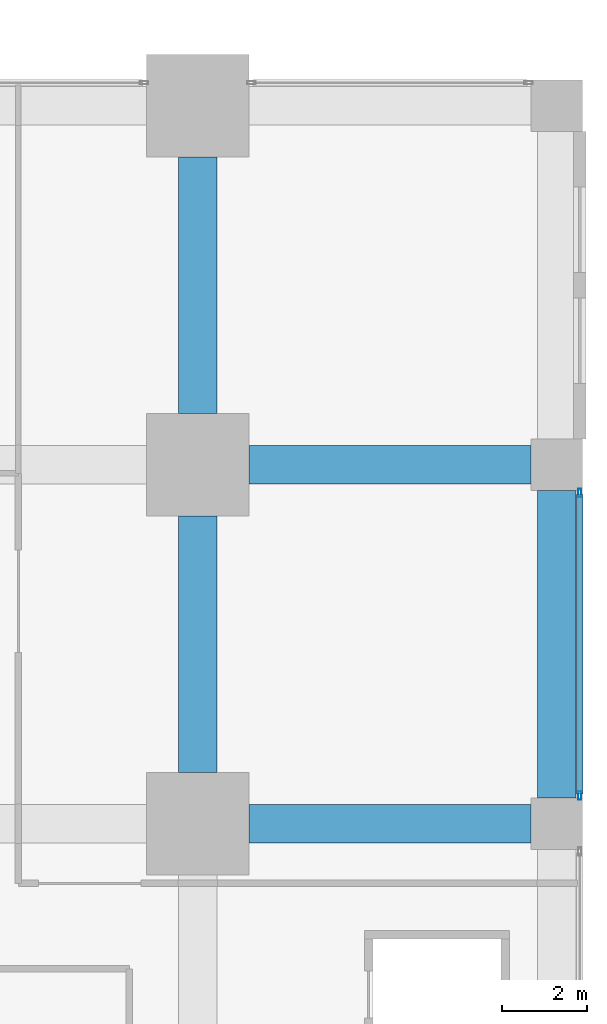
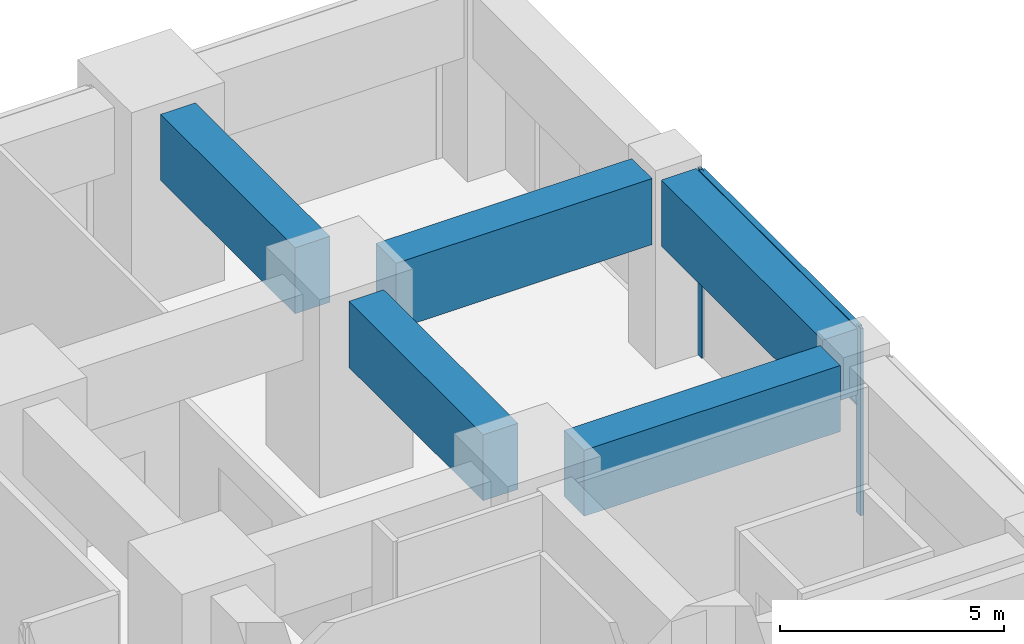
# One storey, part 32 of 81: 5 beams, 4 members, 1 element without a shape of its own.
"""IFC4 building model written with IfcOpenShell, lengths in metres."""

from ifc_helpers import new_model, si_unit, direction, frame, origin, origin_2d, place, context, subcontext, project, spatial, rectangle, hollow_rectangle, extrude, material, material_profile, profile_set, type_object, element, aggregate, save


model = new_model("IFC4")

# Units and contexts
model_context = context("Model", 3, precision=1e-05, world=origin(), true_north=direction((0.0, 1.0)))
body_context = subcontext(model_context, "Body", "Model", "MODEL_VIEW")
ifc_project = project(units=[si_unit("LENGTHUNIT", "METRE"), si_unit("AREAUNIT", "SQUARE_METRE"), si_unit("VOLUMEUNIT", "CUBIC_METRE"), si_unit("PLANEANGLEUNIT", "RADIAN"), si_unit("MASSUNIT", "GRAM", prefix="KILO")], contexts=[model_context])

# Site, building, storey
site_placement = place(None, origin())
site = spatial("IfcSite", under=ifc_project, at=site_placement, CompositionType="ELEMENT")
building_placement = place(site_placement, origin())
building = spatial("IfcBuilding", under=site, at=building_placement, Name="Rekha Terrace Tower", CompositionType="ELEMENT")
storey_placement = place(building_placement, origin())
storey = spatial("IfcBuildingStorey", under=building, at=storey_placement, Name="L00", CompositionType="ELEMENT", Elevation=0.0)

# Curtain wall, members
ifc_material_1 = material(Name="Aluminium framing", Category="aluminium")
curtain_wall_type = type_object("IfcCurtainWallType", Name="CW4 podium shopfront glazing", PredefinedType="USERDEFINED", material=ifc_material_1)
curtain_wall_placement = place(storey_placement, origin())
curtain_wall = element("IfcCurtainWall", 1, at=curtain_wall_placement, inside=storey, type_object=curtain_wall_type, Name="CW4 shopfront curtain wall", ObjectType="SHOPFRONT CURTAIN WALL", PredefinedType="USERDEFINED")
ifc_material_2 = material(Name="Aluminium mullion section", Category="aluminium")
ifc_material_profile_1 = material_profile(ifc_material_2, hollow_rectangle(XDim=0.074951171875, YDim=0.199951171875, WallThickness=0.00390625, at=origin_2d()), Name="AL RHS 75x200")
ifc_profile_set_1 = profile_set([ifc_material_profile_1], Name="Aluminium mullion section")
member_type_1 = type_object("IfcMemberType", Name="CW4 mullion RHS 75 x 200", PredefinedType="MULLION", material=ifc_profile_set_1)
member_1_placement = place(storey_placement, frame((76.139892578125, 42.657470703125, 0.0), z_axis=(0.0, 0.0, 1.0), x_axis=(-1.0, 0.0, 0.0)))
member_1 = element("IfcMember", 2, at=member_1_placement, type_object=member_type_1, Name="CW4 mullion 1", PredefinedType="MULLION", context=body_context, shape_type="SweptSolid", body=[
    extrude(hollow_rectangle(XDim=0.074951171875, YDim=0.199951171875, WallThickness=0.00390625, at=origin_2d()), origin(), (0.0, 0.0, 1.0), 5.10009765625),
])
member_2_placement = place(storey_placement, frame((76.139892578125, 49.742431640625, 0.0), z_axis=(0.0, 0.0, 1.0), x_axis=(-1.0, 0.0, 0.0)))
member_2 = element("IfcMember", 3, at=member_2_placement, type_object=member_type_1, Name="CW4 mullion 2", PredefinedType="MULLION", context=body_context, shape_type="SweptSolid", body=[
    extrude(hollow_rectangle(XDim=0.074951171875, YDim=0.199951171875, WallThickness=0.00390625, at=origin_2d()), origin(), (0.0, 0.0, 1.0), 5.10009765625),
])
ifc_material_3 = material(Name="Aluminium transom section", Category="aluminium")
ifc_material_profile_2 = material_profile(ifc_material_3, hollow_rectangle(XDim=0.14990234375, YDim=0.074951171875, WallThickness=0.0029296875, at=origin_2d()), Name="AL RHS 150x75")
ifc_profile_set_2 = profile_set([ifc_material_profile_2], Name="Aluminium transom section")
member_type_2 = type_object("IfcMemberType", Name="CW4 transom RHS 75 x 150", PredefinedType="USERDEFINED", material=ifc_profile_set_2)
member_3_placement = place(storey_placement, frame((76.139892578125, 42.695068359375, 3.0), z_axis=(0.0, 1.0, 0.0), x_axis=(-1.0, 0.0, 0.0)))
member_3 = element("IfcMember", 4, at=member_3_placement, type_object=member_type_2, Name="CW4 transom 1.2", ObjectType="TRANSOM", PredefinedType="USERDEFINED", context=body_context, shape_type="SweptSolid", body=[
    extrude(hollow_rectangle(XDim=0.14990234375, YDim=0.074951171875, WallThickness=0.0029296875, at=origin_2d()), origin(), (0.0, 0.0, 1.0), 7.010009765625),
])
member_4_placement = place(storey_placement, frame((76.139892578125, 42.695068359375, 5.0625), z_axis=(0.0, 1.0, 0.0), x_axis=(-1.0, 0.0, 0.0)))
member_4 = element("IfcMember", 5, at=member_4_placement, type_object=member_type_2, Name="CW4 transom 1.3", ObjectType="TRANSOM", PredefinedType="USERDEFINED", context=body_context, shape_type="SweptSolid", body=[
    extrude(hollow_rectangle(XDim=0.14990234375, YDim=0.074951171875, WallThickness=0.0029296875, at=origin_2d()), origin(), (0.0, 0.0, 1.0), 7.010009765625),
])
aggregate(curtain_wall, [member_1, member_2, member_3, member_4])

# Beams
ifc_material_4 = material(Name="Concrete M60", Category="concrete")
ifc_material_profile_3 = material_profile(ifc_material_4, rectangle(XDim=0.89990234375, YDim=1.800048828125, at=origin_2d()), Name="RC 900x1800")
ifc_profile_set_3 = profile_set([ifc_material_profile_3], Name="Concrete M60")
beam_type = type_object("IfcBeamType", Name="G1 900x1800 podium floor beam", PredefinedType="BEAM", material=ifc_profile_set_3)
beam_1_placement = place(storey_placement, frame((68.39990234375, 42.0, 4.199951171875), z_axis=(1.0, 0.0, 0.0), x_axis=(0.0, 1.0, 0.0)))
element("IfcBeam", 6, at=beam_1_placement, inside=storey, type_object=beam_type, Name="Beam G1 9F-10F under L01", PredefinedType="BEAM", context=body_context, shape_type="SweptSolid", body=[
    extrude(rectangle(XDim=0.89990234375, YDim=1.800048828125, at=origin_2d()), origin(), (0.0, 0.0, 1.0), 6.60009765625),
])
beam_2_placement = place(storey_placement, frame((67.199951171875, 43.199951171875, 4.199951171875), z_axis=(0.0, 1.0, 0.0), x_axis=(-1.0, 0.0, 0.0)))
element("IfcBeam", 7, at=beam_2_placement, inside=storey, type_object=beam_type, Name="Beam G1 9F-9G under L01", PredefinedType="BEAM", context=body_context, shape_type="SweptSolid", body=[
    extrude(rectangle(XDim=0.89990234375, YDim=1.800048828125, at=origin_2d()), origin(), (0.0, 0.0, 1.0), 6.0),
])
beam_3_placement = place(storey_placement, frame((68.39990234375, 50.39990234375, 4.199951171875), z_axis=(1.0, 0.0, 0.0), x_axis=(0.0, 1.0, 0.0)))
element("IfcBeam", 8, at=beam_3_placement, inside=storey, type_object=beam_type, Name="Beam G1 9G-10G under L01", PredefinedType="BEAM", context=body_context, shape_type="SweptSolid", body=[
    extrude(rectangle(XDim=0.89990234375, YDim=1.800048828125, at=origin_2d()), origin(), (0.0, 0.0, 1.0), 6.60009765625),
])
beam_4_placement = place(storey_placement, frame((67.199951171875, 51.60009765625, 4.199951171875), z_axis=(0.0, 1.0, 0.0), x_axis=(-1.0, 0.0, 0.0)))
element("IfcBeam", 9, at=beam_4_placement, inside=storey, type_object=beam_type, Name="Beam G1 9G-9H under L01", PredefinedType="BEAM", context=body_context, shape_type="SweptSolid", body=[
    extrude(rectangle(XDim=0.89990234375, YDim=1.800048828125, at=origin_2d()), origin(), (0.0, 0.0, 1.0), 6.0),
])
beam_5_placement = place(storey_placement, frame((75.60009765625, 42.60009765625, 4.199951171875), z_axis=(0.0, 1.0, 0.0), x_axis=(-1.0, 0.0, 0.0)))
element("IfcBeam", 10, at=beam_5_placement, inside=storey, type_object=beam_type, Name="Beam G1 10F-10G under L01", PredefinedType="BEAM", context=body_context, shape_type="SweptSolid", body=[
    extrude(rectangle(XDim=0.89990234375, YDim=1.800048828125, at=origin_2d()), origin(), (0.0, 0.0, 1.0), 7.199951171875),
])

save(model, "model.ifc")
